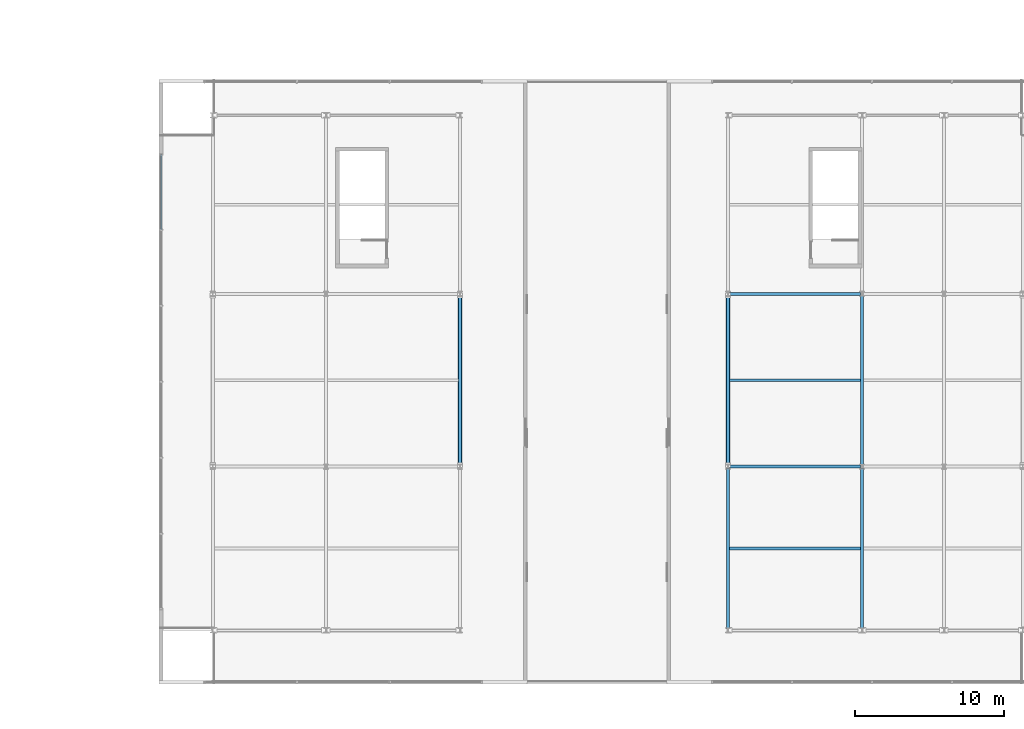
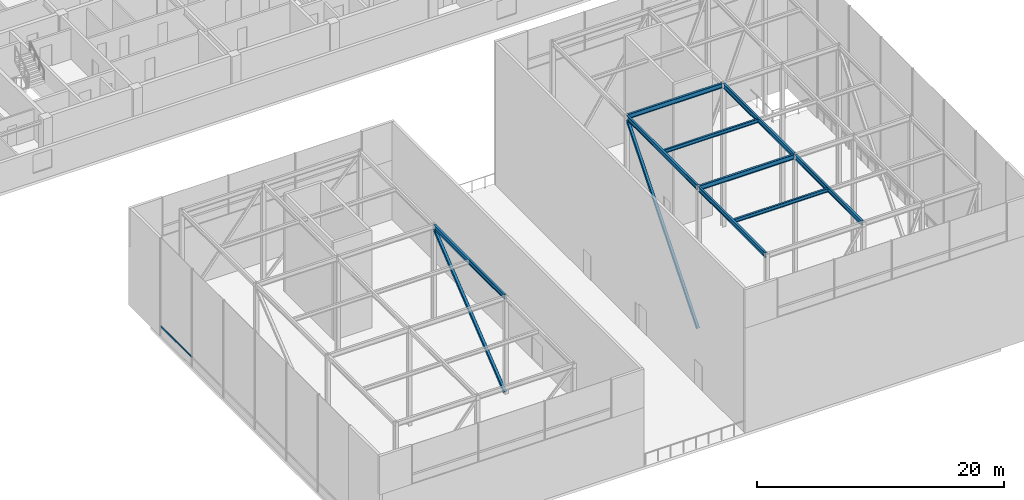
# One storey, part 13 of 42: 9 beams, 3 members, 1 element without a shape of its own.
"""IFC4 building model written with IfcOpenShell, lengths in metres."""

from ifc_helpers import new_model, si_unit, direction, frame, origin, origin_2d, place, context, subcontext, project, spatial, hollow_rectangle, i_section, extrude, material, layer, layer_set, material_profile, profile_set, type_object, element, aggregate, save


model = new_model("IFC4")

# Units and contexts
model_context = context("Model", 3, precision=1e-05, world=origin(), true_north=direction((0.0, 1.0)))
body_context = subcontext(model_context, "Body", "Model", "MODEL_VIEW")
ifc_project = project(units=[si_unit("LENGTHUNIT", "METRE"), si_unit("AREAUNIT", "SQUARE_METRE"), si_unit("VOLUMEUNIT", "CUBIC_METRE"), si_unit("PLANEANGLEUNIT", "RADIAN"), si_unit("MASSUNIT", "GRAM", prefix="KILO")], contexts=[model_context])

# Site, building, storey
site_placement = place(None, origin())
site = spatial("IfcSite", under=ifc_project, at=site_placement, CompositionType="ELEMENT")
building_placement = place(site_placement, origin())
building = spatial("IfcBuilding", under=site, at=building_placement, Name="Korimba Cascade Residences", CompositionType="ELEMENT")
storey_placement = place(building_placement, frame((0.0, 0.0, 207.60009765625)))
storey = spatial("IfcBuildingStorey", under=building, at=storey_placement, Name="L60", CompositionType="ELEMENT", Elevation=207.60009765625)

# Beams
ifc_material_1 = material(Name="Steel S355", Category="steel")
ifc_material_profile_1 = material_profile(ifc_material_1, i_section(OverallWidth=0.172119140625, OverallDepth=0.35791015625, WebThickness=0.008056640625, FlangeThickness=0.012939453125, FilletRadius=0.01025390625, at=origin_2d()), Name="Steel S355")
ifc_profile_set_1 = profile_set([ifc_material_profile_1], Name="Steel S355")
beam_type_1 = type_object("IfcBeamType", Name="BM-STL-UB356", PredefinedType="JOIST", material=ifc_profile_set_1)
for number, where, z_axis, x_axis, name in (
    (1, (109.199951171875, 1.300048828125, 13.970947265625), (1.0, 0.0, 0.0), (0.0, 1.0, 0.0), "L60 Crown Cap Joist E1.1"),
    (2, (109.199951171875, 12.60009765625, 13.970947265625), (1.0, 0.0, 0.0), (0.0, 1.0, 0.0), "L60 Crown Cap Joist E2.1"),
):
    element("IfcBeam", number, at=place(storey_placement, frame(where, z_axis=z_axis, x_axis=x_axis)), inside=storey, type_object=beam_type_1, Name=name, PredefinedType="JOIST", context=body_context, shape_type="SweptSolid", body=[
        extrude(i_section(OverallWidth=0.172119140625, OverallDepth=0.35791015625, WebThickness=0.008056640625, FlangeThickness=0.012939453125, FilletRadius=0.01025390625, at=origin_2d()), origin(), (0.0, 0.0, 1.0), 8.800048828125),
    ])
ifc_material_profile_2 = material_profile(ifc_material_1, i_section(OverallWidth=0.19140625, OverallDepth=0.4599609375, WebThickness=0.010009765625, FlangeThickness=0.01611328125, FilletRadius=0.01025390625, at=origin_2d()), Name="Steel S355")
ifc_profile_set_2 = profile_set([ifc_material_profile_2], Name="Steel S355")
beam_type_2 = type_object("IfcBeamType", Name="BM-STL-UB457", PredefinedType="JOIST", material=ifc_profile_set_2)
beam_1_placement = place(storey_placement, frame((91.10009765625, 6.905029296875, 9.419921875), z_axis=(0.0, 1.0, 0.0), x_axis=(-1.0, 0.0, 0.0)))
element("IfcBeam", 3, at=beam_1_placement, inside=storey, type_object=beam_type_2, Name="L60 Crown Cap Tie Beam W3.2", PredefinedType="JOIST", context=body_context, shape_type="SweptSolid", body=[
    extrude(i_section(OverallWidth=0.19140625, OverallDepth=0.4599609375, WebThickness=0.010009765625, FlangeThickness=0.01611328125, FilletRadius=0.01025390625, at=origin_2d()), origin(), (0.0, 0.0, 1.0), 11.389892578125),
])
for number, where, z_axis, x_axis, name in (
    (4, (109.205078125, 6.800048828125, 13.919921875), (1.0, 0.0, 0.0), (0.0, 1.0, 0.0), "L60 Crown Cap Ring Beam E2.1"),
    (5, (109.205078125, 18.39990234375, 13.919921875), (1.0, 0.0, 0.0), (0.0, 1.0, 0.0), "L60 Crown Cap Ring Beam E3.1"),
):
    element("IfcBeam", number, at=place(storey_placement, frame(where, z_axis=z_axis, x_axis=x_axis)), inside=storey, type_object=beam_type_2, Name=name, PredefinedType="JOIST", context=body_context, shape_type="SweptSolid", body=[
        extrude(i_section(OverallWidth=0.19140625, OverallDepth=0.4599609375, WebThickness=0.010009765625, FlangeThickness=0.01611328125, FilletRadius=0.01025390625, at=origin_2d()), origin(), (0.0, 0.0, 1.0), 8.7900390625),
    ])
beam_2_placement = place(storey_placement, frame((109.10009765625, -4.094970703125, 13.919921875), z_axis=(0.0, 1.0, 0.0), x_axis=(-1.0, 0.0, 0.0)))
element("IfcBeam", 6, at=beam_2_placement, inside=storey, type_object=beam_type_2, Name="L60 Crown Cap Tie Beam E1.1", PredefinedType="JOIST", context=body_context, shape_type="SweptSolid", body=[
    extrude(i_section(OverallWidth=0.19140625, OverallDepth=0.4599609375, WebThickness=0.010009765625, FlangeThickness=0.01611328125, FilletRadius=0.01025390625, at=origin_2d()), origin(), (0.0, 0.0, 1.0), 10.7900390625),
])
beam_3_placement = place(storey_placement, frame((109.10009765625, 6.905029296875, 13.919921875), z_axis=(0.0, 1.0, 0.0), x_axis=(-1.0, 0.0, 0.0)))
element("IfcBeam", 7, at=beam_3_placement, inside=storey, type_object=beam_type_2, Name="L60 Crown Cap Tie Beam E1.2", PredefinedType="JOIST", context=body_context, shape_type="SweptSolid", body=[
    extrude(i_section(OverallWidth=0.19140625, OverallDepth=0.4599609375, WebThickness=0.010009765625, FlangeThickness=0.01611328125, FilletRadius=0.01025390625, at=origin_2d()), origin(), (0.0, 0.0, 1.0), 11.389892578125),
])
beam_4_placement = place(storey_placement, frame((118.10009765625, -4.094970703125, 13.919921875), z_axis=(0.0, 1.0, 0.0), x_axis=(-1.0, 0.0, 0.0)))
element("IfcBeam", 8, at=beam_4_placement, inside=storey, type_object=beam_type_2, Name="L60 Crown Cap Tie Beam E2.1", PredefinedType="JOIST", context=body_context, shape_type="SweptSolid", body=[
    extrude(i_section(OverallWidth=0.19140625, OverallDepth=0.4599609375, WebThickness=0.010009765625, FlangeThickness=0.01611328125, FilletRadius=0.01025390625, at=origin_2d()), origin(), (0.0, 0.0, 1.0), 10.7900390625),
])
beam_5_placement = place(storey_placement, frame((118.10009765625, 6.905029296875, 13.919921875), z_axis=(0.0, 1.0, 0.0), x_axis=(-1.0, 0.0, 0.0)))
element("IfcBeam", 9, at=beam_5_placement, inside=storey, type_object=beam_type_2, Name="L60 Crown Cap Tie Beam E2.2", PredefinedType="JOIST", context=body_context, shape_type="SweptSolid", body=[
    extrude(i_section(OverallWidth=0.19140625, OverallDepth=0.4599609375, WebThickness=0.010009765625, FlangeThickness=0.01611328125, FilletRadius=0.01025390625, at=origin_2d()), origin(), (0.0, 0.0, 1.0), 11.389892578125),
])

# Curtain wall, member
ifc_material_2 = material(Name="Anodised Aluminium Curtain Wall Framing", Category="aluminium")
ifc_layer = layer(ifc_material_2, 0.179931640625)
ifc_layer_set = layer_set([ifc_layer], Name="Anodised Aluminium Curtain Wall Framing")
curtain_wall_type = type_object("IfcCurtainWallType", Name="CW-CRNE-SYS6", PredefinedType="NOTDEFINED", material=ifc_layer_set)
curtain_wall_placement = place(storey_placement, origin())
curtain_wall = element("IfcCurtainWall", 10, at=curtain_wall_placement, inside=storey, type_object=curtain_wall_type, Name="L60 Curtain Wall CW-L60-CRN-W-1", PredefinedType="NOTDEFINED")
ifc_material_3 = material(Name="Anodised Aluminium Transom", Category="aluminium")
ifc_material_profile_3 = material_profile(ifc_material_3, hollow_rectangle(XDim=0.070068359375, YDim=0.179931640625, WallThickness=0.0048828125, InnerFilletRadius=0.0048828125, OuterFilletRadius=0.010009765625, at=origin_2d()), Name="Anodised Aluminium Transom")
ifc_profile_set_3 = profile_set([ifc_material_profile_3], Name="Anodised Aluminium Transom")
member_type_1 = type_object("IfcMemberType", Name="CWM-TRN-150", PredefinedType="USERDEFINED", material=ifc_profile_set_3)
member_1_placement = place(storey_placement, frame((71.02490234375, 22.699951171875, 0.89990234375), z_axis=(0.0, 1.0, 0.0), x_axis=(-1.0, 0.0, 0.0)))
member_1 = element("IfcMember", 11, at=member_1_placement, type_object=member_type_1, Name="CW-L60-CRN-W-1 Transom 6", ObjectType="TRANSOM", PredefinedType="USERDEFINED", context=body_context, shape_type="SweptSolid", body=[
    extrude(hollow_rectangle(XDim=0.070068359375, YDim=0.179931640625, WallThickness=0.0048828125, InnerFilletRadius=0.0048828125, OuterFilletRadius=0.010009765625, at=origin_2d()), origin(), (0.0, 0.0, 1.0), 5.06005859375),
])
aggregate(curtain_wall, [member_1])

# Members
ifc_material_profile_4 = material_profile(ifc_material_1, hollow_rectangle(XDim=0.25, YDim=0.25, WallThickness=0.010009765625, InnerFilletRadius=0.010009765625, OuterFilletRadius=0.02001953125, at=origin_2d()), Name="Steel S355")
ifc_profile_set_4 = profile_set([ifc_material_profile_4], Name="Steel S355")
member_type_2 = type_object("IfcMemberType", Name="MEM-CRN-SHS250", PredefinedType="STRUT", material=ifc_profile_set_4)
member_2_placement = place(storey_placement, frame((91.10009765625, 6.905029296875, 0.0), z_axis=(0.0, 0.778065643136, 0.628182978894), x_axis=(-1.0, 0.0, 0.0)))
element("IfcMember", 12, at=member_2_placement, inside=storey, type_object=member_type_2, Name="L60 CROWN FRAME Strut W3", PredefinedType="STRUT", context=body_context, shape_type="SweptSolid", body=[
    extrude(hollow_rectangle(XDim=0.25, YDim=0.25, WallThickness=0.010009765625, InnerFilletRadius=0.010009765625, OuterFilletRadius=0.02001953125, at=origin_2d()), origin(), (0.0, 0.0, 1.0), 14.638671875),
])
member_3_placement = place(storey_placement, frame((109.10009765625, 6.905029296875, 0.0), z_axis=(0.0, 0.639412961885, 0.768863488646), x_axis=(-1.0, 0.0, 0.0)))
element("IfcMember", 13, at=member_3_placement, inside=storey, type_object=member_type_2, Name="L60 CROWN FRAME Strut E1", PredefinedType="STRUT", context=body_context, shape_type="SweptSolid", body=[
    extrude(hollow_rectangle(XDim=0.25, YDim=0.25, WallThickness=0.010009765625, InnerFilletRadius=0.010009765625, OuterFilletRadius=0.02001953125, at=origin_2d()), origin(), (0.0, 0.0, 1.0), 17.81298828125),
])

save(model, "model.ifc")
